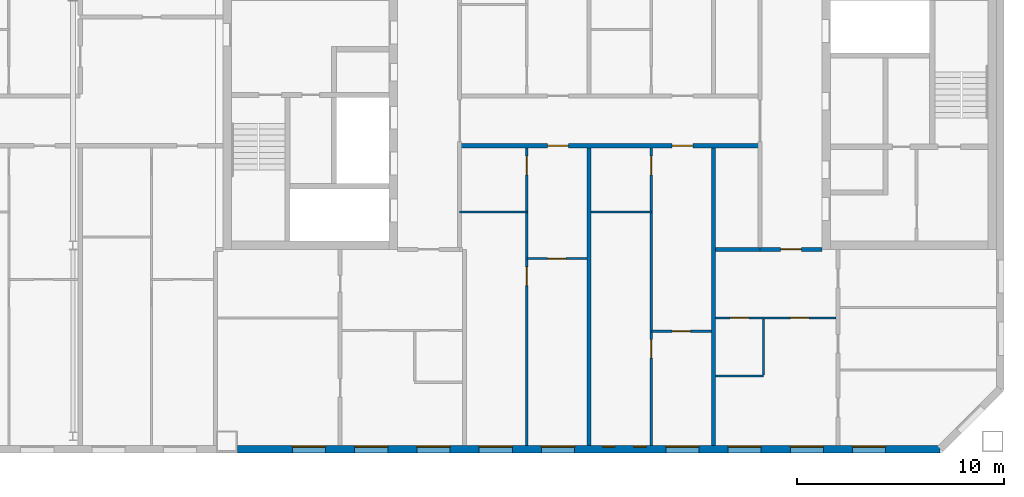
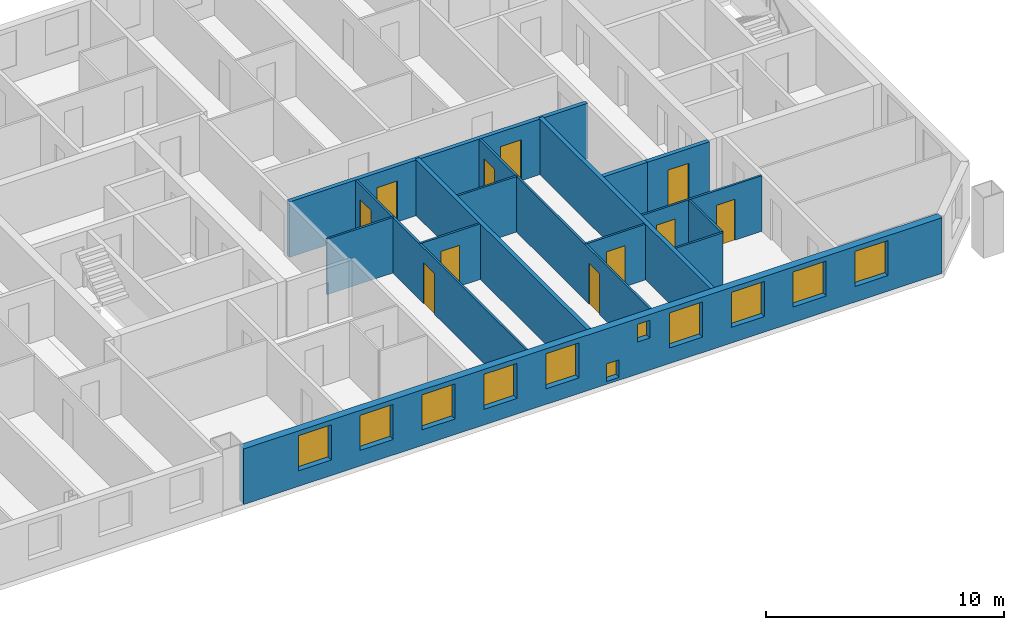
# One storey, part 14 of 19: 15 walls, 11 doors, 11 windows, 22 openings.
"""IFC4 building model written with IfcOpenShell, lengths in metres."""

from ifc_helpers import new_model, si_unit, direction, frame, frame_2d, origin, place, context, subcontext, project, spatial, rectangle, extrude, material, layer, layer_set, type_object, element, fill, save


model = new_model("IFC4")

# Units and contexts
model_context = context("Model", 3, precision=1e-05, world=origin(), true_north=direction((0.0, 1.0)))
body_context = subcontext(model_context, "Body", "Model", "MODEL_VIEW")
ifc_project = project(units=[si_unit("LENGTHUNIT", "METRE"), si_unit("AREAUNIT", "SQUARE_METRE"), si_unit("VOLUMEUNIT", "CUBIC_METRE"), si_unit("PLANEANGLEUNIT", "RADIAN"), si_unit("MASSUNIT", "GRAM", prefix="KILO")], contexts=[model_context])

# Site, building, storey
site_placement = place(None, origin())
site = spatial("IfcSite", under=ifc_project, at=site_placement, CompositionType="ELEMENT")
building_placement = place(site_placement, origin())
building = spatial("IfcBuilding", under=site, at=building_placement, Name="Tuart Gate Housing", CompositionType="ELEMENT")
storey_placement = place(building_placement, frame((0.0, 0.0, 233.800048828125)))
storey = spatial("IfcBuildingStorey", under=building, at=storey_placement, Name="L66", CompositionType="ELEMENT", Elevation=233.800048828125)

# Wall, openings, windows
ifc_material_1 = material(Name="Brick", Category="masonry")
ifc_layer_1 = layer(ifc_material_1, 0.360107421875)
ifc_layer_set_1 = layer_set([ifc_layer_1], Name="Brick pier and spandrel wall 360")
wall_type_1 = type_object("IfcWallType", Name="Brick pier and spandrel wall 360", PredefinedType="STANDARD", material=ifc_layer_set_1)
wall_1_placement = place(storey_placement, frame((132.050048828125, 54.179931640625, 0.0), z_axis=(0.0, 0.0, 1.0), x_axis=(1.0, 0.0, 0.0)))
wall_1 = element("IfcWall", 1, at=wall_1_placement, inside=storey, type_object=wall_type_1, Name="External wall BLK-S L66", PredefinedType="STANDARD", context=body_context, shape_type="SweptSolid", body=[
    extrude(rectangle(XDim=33.87548828125, YDim=0.360107421875, at=frame_2d((16.937744140625, 0.0))), origin(), (0.0, 0.0, 1.0), 2.849853515625),
])
opening_1_placement = place(wall_1_placement, frame((2.64990234375, 0.0, 0.800048828125)))
opening_1 = element("IfcOpeningElement", 2, at=opening_1_placement, cuts=wall_1, Name="Opening W1", PredefinedType="OPENING", context=body_context, shape_type="SweptSolid", body=[
    extrude(rectangle(XDim=1.60009765625, YDim=1.800048828125, at=frame_2d((0.800048828125, 0.89990234375))), frame((0.0, 0.18994140625, 0.0), z_axis=(0.0, -1.0, 0.0), x_axis=(1.0, 0.0, 0.0)), (0.0, 0.0, 1.0), 0.380126953125),
])
opening_2_placement = place(wall_1_placement, frame((5.64990234375, 0.0, 0.800048828125)))
opening_2 = element("IfcOpeningElement", 3, at=opening_2_placement, cuts=wall_1, Name="Opening W1", PredefinedType="OPENING", context=body_context, shape_type="SweptSolid", body=[
    extrude(rectangle(XDim=1.60009765625, YDim=1.800048828125, at=frame_2d((0.800048828125, 0.89990234375))), frame((0.0, 0.18994140625, 0.0), z_axis=(0.0, -1.0, 0.0), x_axis=(1.0, 0.0, 0.0)), (0.0, 0.0, 1.0), 0.380126953125),
])
opening_3_placement = place(wall_1_placement, frame((8.64990234375, 0.0, 0.800048828125)))
opening_3 = element("IfcOpeningElement", 4, at=opening_3_placement, cuts=wall_1, Name="Opening W1", PredefinedType="OPENING", context=body_context, shape_type="SweptSolid", body=[
    extrude(rectangle(XDim=1.60009765625, YDim=1.800048828125, at=frame_2d((0.800048828125, 0.89990234375))), frame((0.0, 0.18994140625, 0.0), z_axis=(0.0, -1.0, 0.0), x_axis=(1.0, 0.0, 0.0)), (0.0, 0.0, 1.0), 0.380126953125),
])
opening_4_placement = place(wall_1_placement, frame((11.64990234375, 0.0, 0.800048828125)))
opening_4 = element("IfcOpeningElement", 5, at=opening_4_placement, cuts=wall_1, Name="Opening W1", PredefinedType="OPENING", context=body_context, shape_type="SweptSolid", body=[
    extrude(rectangle(XDim=1.60009765625, YDim=1.800048828125, at=frame_2d((0.800048828125, 0.89990234375))), frame((0.0, 0.18994140625, 0.0), z_axis=(0.0, -1.0, 0.0), x_axis=(1.0, 0.0, 0.0)), (0.0, 0.0, 1.0), 0.380126953125),
])
opening_5_placement = place(wall_1_placement, frame((14.64990234375, 0.0, 0.800048828125)))
opening_5 = element("IfcOpeningElement", 6, at=opening_5_placement, cuts=wall_1, Name="Opening W1", PredefinedType="OPENING", context=body_context, shape_type="SweptSolid", body=[
    extrude(rectangle(XDim=1.60009765625, YDim=1.800048828125, at=frame_2d((0.800048828125, 0.89990234375))), frame((0.0, 0.18994140625, 0.0), z_axis=(0.0, -1.0, 0.0), x_axis=(1.0, 0.0, 0.0)), (0.0, 0.0, 1.0), 0.380126953125),
])
opening_6_placement = place(wall_1_placement, frame((17.60009765625, 0.0, 0.14990234375)))
opening_6 = element("IfcOpeningElement", 7, at=opening_6_placement, cuts=wall_1, Name="Opening W1W", PredefinedType="OPENING", context=body_context, shape_type="SweptSolid", body=[
    extrude(rectangle(XDim=0.60009765625, YDim=0.89990234375, at=frame_2d((0.300048828125, 0.449951171875))), frame((0.0, 0.18994140625, 0.0), z_axis=(0.0, -1.0, 0.0), x_axis=(1.0, 0.0, 0.0)), (0.0, 0.0, 1.0), 0.380126953125),
])
opening_7_placement = place(wall_1_placement, frame((20.64990234375, 0.0, 0.800048828125)))
opening_7 = element("IfcOpeningElement", 8, at=opening_7_placement, cuts=wall_1, Name="Opening W1", PredefinedType="OPENING", context=body_context, shape_type="SweptSolid", body=[
    extrude(rectangle(XDim=1.60009765625, YDim=1.800048828125, at=frame_2d((0.800048828125, 0.89990234375))), frame((0.0, 0.18994140625, 0.0), z_axis=(0.0, -1.0, 0.0), x_axis=(1.0, 0.0, 0.0)), (0.0, 0.0, 1.0), 0.380126953125),
])
opening_8_placement = place(wall_1_placement, frame((23.64990234375, 0.0, 0.800048828125)))
opening_8 = element("IfcOpeningElement", 9, at=opening_8_placement, cuts=wall_1, Name="Opening W1", PredefinedType="OPENING", context=body_context, shape_type="SweptSolid", body=[
    extrude(rectangle(XDim=1.60009765625, YDim=1.800048828125, at=frame_2d((0.800048828125, 0.89990234375))), frame((0.0, 0.18994140625, 0.0), z_axis=(0.0, -1.0, 0.0), x_axis=(1.0, 0.0, 0.0)), (0.0, 0.0, 1.0), 0.380126953125),
])
opening_9_placement = place(wall_1_placement, frame((26.64990234375, 0.0, 0.800048828125)))
opening_9 = element("IfcOpeningElement", 10, at=opening_9_placement, cuts=wall_1, Name="Opening W1", PredefinedType="OPENING", context=body_context, shape_type="SweptSolid", body=[
    extrude(rectangle(XDim=1.60009765625, YDim=1.800048828125, at=frame_2d((0.800048828125, 0.89990234375))), frame((0.0, 0.18994140625, 0.0), z_axis=(0.0, -1.0, 0.0), x_axis=(1.0, 0.0, 0.0)), (0.0, 0.0, 1.0), 0.380126953125),
])
opening_10_placement = place(wall_1_placement, frame((29.64990234375, 0.0, 0.800048828125)))
opening_10 = element("IfcOpeningElement", 11, at=opening_10_placement, cuts=wall_1, Name="Opening W1", PredefinedType="OPENING", context=body_context, shape_type="SweptSolid", body=[
    extrude(rectangle(XDim=1.60009765625, YDim=1.800048828125, at=frame_2d((0.800048828125, 0.89990234375))), frame((0.0, 0.18994140625, 0.0), z_axis=(0.0, -1.0, 0.0), x_axis=(1.0, 0.0, 0.0)), (0.0, 0.0, 1.0), 0.380126953125),
])
opening_11_placement = place(wall_1_placement, frame((19.10009765625, 0.0, 1.64990234375)))
opening_11 = element("IfcOpeningElement", 12, at=opening_11_placement, cuts=wall_1, Name="Opening W1W", PredefinedType="OPENING", context=body_context, shape_type="SweptSolid", body=[
    extrude(rectangle(XDim=0.60009765625, YDim=0.89990234375, at=frame_2d((0.300048828125, 0.449951171875))), frame((0.0, 0.18994140625, 0.0), z_axis=(0.0, -1.0, 0.0), x_axis=(1.0, 0.0, 0.0)), (0.0, 0.0, 1.0), 0.380126953125),
])
ifc_material_2 = material(Name="Aluminium frame with clear glass", Category="aluminium")
window_type_1 = type_object("IfcWindowType", Name="Punched window 1600 x 1800", PartitioningType="SINGLE_PANEL", PredefinedType="WINDOW", material=ifc_material_2)
window_1_placement = place(opening_1_placement, origin())
window_1 = element("IfcWindow", 13, at=window_1_placement, inside=storey, type_object=window_type_1, Name="Window W1", OverallHeight=1.800048828125, OverallWidth=1.60009765625, PartitioningType="SINGLE_PANEL", PredefinedType="WINDOW", context=body_context, shape_type="SweptSolid", body=[
    extrude(rectangle(XDim=1.60009765625, YDim=1.800048828125, at=frame_2d((0.800048828125, 0.89990234375))), frame((0.0, 0.150146484375, 0.0), z_axis=(0.0, -1.0, 0.0), x_axis=(1.0, 0.0, 0.0)), (0.0, 0.0, 1.0), 0.06005859375),
])
fill(opening_1, window_1)
window_2_placement = place(opening_2_placement, origin())
window_2 = element("IfcWindow", 14, at=window_2_placement, inside=storey, type_object=window_type_1, Name="Window W1", OverallHeight=1.800048828125, OverallWidth=1.60009765625, PartitioningType="SINGLE_PANEL", PredefinedType="WINDOW", context=body_context, shape_type="SweptSolid", body=[
    extrude(rectangle(XDim=1.60009765625, YDim=1.800048828125, at=frame_2d((0.800048828125, 0.89990234375))), frame((0.0, 0.150146484375, 0.0), z_axis=(0.0, -1.0, 0.0), x_axis=(1.0, 0.0, 0.0)), (0.0, 0.0, 1.0), 0.06005859375),
])
fill(opening_2, window_2)
window_3_placement = place(opening_3_placement, origin())
window_3 = element("IfcWindow", 15, at=window_3_placement, inside=storey, type_object=window_type_1, Name="Window W1", OverallHeight=1.800048828125, OverallWidth=1.60009765625, PartitioningType="SINGLE_PANEL", PredefinedType="WINDOW", context=body_context, shape_type="SweptSolid", body=[
    extrude(rectangle(XDim=1.60009765625, YDim=1.800048828125, at=frame_2d((0.800048828125, 0.89990234375))), frame((0.0, 0.150146484375, 0.0), z_axis=(0.0, -1.0, 0.0), x_axis=(1.0, 0.0, 0.0)), (0.0, 0.0, 1.0), 0.06005859375),
])
fill(opening_3, window_3)
window_4_placement = place(opening_4_placement, origin())
window_4 = element("IfcWindow", 16, at=window_4_placement, inside=storey, type_object=window_type_1, Name="Window W1", OverallHeight=1.800048828125, OverallWidth=1.60009765625, PartitioningType="SINGLE_PANEL", PredefinedType="WINDOW", context=body_context, shape_type="SweptSolid", body=[
    extrude(rectangle(XDim=1.60009765625, YDim=1.800048828125, at=frame_2d((0.800048828125, 0.89990234375))), frame((0.0, 0.150146484375, 0.0), z_axis=(0.0, -1.0, 0.0), x_axis=(1.0, 0.0, 0.0)), (0.0, 0.0, 1.0), 0.06005859375),
])
fill(opening_4, window_4)
window_5_placement = place(opening_5_placement, origin())
window_5 = element("IfcWindow", 17, at=window_5_placement, inside=storey, type_object=window_type_1, Name="Window W1", OverallHeight=1.800048828125, OverallWidth=1.60009765625, PartitioningType="SINGLE_PANEL", PredefinedType="WINDOW", context=body_context, shape_type="SweptSolid", body=[
    extrude(rectangle(XDim=1.60009765625, YDim=1.800048828125, at=frame_2d((0.800048828125, 0.89990234375))), frame((0.0, 0.150146484375, 0.0), z_axis=(0.0, -1.0, 0.0), x_axis=(1.0, 0.0, 0.0)), (0.0, 0.0, 1.0), 0.06005859375),
])
fill(opening_5, window_5)
window_6_placement = place(opening_7_placement, origin())
window_6 = element("IfcWindow", 18, at=window_6_placement, inside=storey, type_object=window_type_1, Name="Window W1", OverallHeight=1.800048828125, OverallWidth=1.60009765625, PartitioningType="SINGLE_PANEL", PredefinedType="WINDOW", context=body_context, shape_type="SweptSolid", body=[
    extrude(rectangle(XDim=1.60009765625, YDim=1.800048828125, at=frame_2d((0.800048828125, 0.89990234375))), frame((0.0, 0.150146484375, 0.0), z_axis=(0.0, -1.0, 0.0), x_axis=(1.0, 0.0, 0.0)), (0.0, 0.0, 1.0), 0.06005859375),
])
fill(opening_7, window_6)
window_7_placement = place(opening_8_placement, origin())
window_7 = element("IfcWindow", 19, at=window_7_placement, inside=storey, type_object=window_type_1, Name="Window W1", OverallHeight=1.800048828125, OverallWidth=1.60009765625, PartitioningType="SINGLE_PANEL", PredefinedType="WINDOW", context=body_context, shape_type="SweptSolid", body=[
    extrude(rectangle(XDim=1.60009765625, YDim=1.800048828125, at=frame_2d((0.800048828125, 0.89990234375))), frame((0.0, 0.150146484375, 0.0), z_axis=(0.0, -1.0, 0.0), x_axis=(1.0, 0.0, 0.0)), (0.0, 0.0, 1.0), 0.06005859375),
])
fill(opening_8, window_7)
window_8_placement = place(opening_9_placement, origin())
window_8 = element("IfcWindow", 20, at=window_8_placement, inside=storey, type_object=window_type_1, Name="Window W1", OverallHeight=1.800048828125, OverallWidth=1.60009765625, PartitioningType="SINGLE_PANEL", PredefinedType="WINDOW", context=body_context, shape_type="SweptSolid", body=[
    extrude(rectangle(XDim=1.60009765625, YDim=1.800048828125, at=frame_2d((0.800048828125, 0.89990234375))), frame((0.0, 0.150146484375, 0.0), z_axis=(0.0, -1.0, 0.0), x_axis=(1.0, 0.0, 0.0)), (0.0, 0.0, 1.0), 0.06005859375),
])
fill(opening_9, window_8)
window_9_placement = place(opening_10_placement, origin())
window_9 = element("IfcWindow", 21, at=window_9_placement, inside=storey, type_object=window_type_1, Name="Window W1", OverallHeight=1.800048828125, OverallWidth=1.60009765625, PartitioningType="SINGLE_PANEL", PredefinedType="WINDOW", context=body_context, shape_type="SweptSolid", body=[
    extrude(rectangle(XDim=1.60009765625, YDim=1.800048828125, at=frame_2d((0.800048828125, 0.89990234375))), frame((0.0, 0.150146484375, 0.0), z_axis=(0.0, -1.0, 0.0), x_axis=(1.0, 0.0, 0.0)), (0.0, 0.0, 1.0), 0.06005859375),
])
fill(opening_10, window_9)
ifc_material_3 = material(Name="Aluminium frame with clear glass", Category="aluminium")
window_type_2 = type_object("IfcWindowType", Name="Punched window 600 x 900", PartitioningType="SINGLE_PANEL", PredefinedType="WINDOW", material=ifc_material_3)
window_10_placement = place(opening_6_placement, origin())
window_10 = element("IfcWindow", 22, at=window_10_placement, inside=storey, type_object=window_type_2, Name="Window W1W", OverallHeight=0.89990234375, OverallWidth=0.60009765625, PartitioningType="SINGLE_PANEL", PredefinedType="WINDOW", context=body_context, shape_type="SweptSolid", body=[
    extrude(rectangle(XDim=0.60009765625, YDim=0.89990234375, at=frame_2d((0.300048828125, 0.449951171875))), frame((0.0, 0.150146484375, 0.0), z_axis=(0.0, -1.0, 0.0), x_axis=(1.0, 0.0, 0.0)), (0.0, 0.0, 1.0), 0.06005859375),
])
fill(opening_6, window_10)
window_11_placement = place(opening_11_placement, origin())
window_11 = element("IfcWindow", 23, at=window_11_placement, inside=storey, type_object=window_type_2, Name="Window W1W", OverallHeight=0.89990234375, OverallWidth=0.60009765625, PartitioningType="SINGLE_PANEL", PredefinedType="WINDOW", context=body_context, shape_type="SweptSolid", body=[
    extrude(rectangle(XDim=0.60009765625, YDim=0.89990234375, at=frame_2d((0.300048828125, 0.449951171875))), frame((0.0, 0.150146484375, 0.0), z_axis=(0.0, -1.0, 0.0), x_axis=(1.0, 0.0, 0.0)), (0.0, 0.0, 1.0), 0.06005859375),
])
fill(opening_11, window_11)

# Wall, openings, doors
ifc_material_4 = material(Name="Concrete masonry 15 MPa", Category="masonry")
ifc_layer_2 = layer(ifc_material_4, 0.199951171875)
ifc_layer_set_2 = layer_set([ifc_layer_2], Name="Corridor wall masonry 200")
wall_type_2 = type_object("IfcWallType", Name="Corridor wall masonry 200", PredefinedType="PARTITIONING", material=ifc_layer_set_2)
wall_2_placement = place(storey_placement, frame((142.760009765625, 68.800048828125, 0.0), z_axis=(0.0, 0.0, 1.0), x_axis=(1.0, 0.0, 0.0)))
wall_2 = element("IfcWall", 24, at=wall_2_placement, inside=storey, type_object=wall_type_2, Name="Corridor wall masonry 200", PredefinedType="PARTITIONING", context=body_context, shape_type="SweptSolid", body=[
    extrude(rectangle(XDim=14.47998046875, YDim=0.199951171875, at=frame_2d((7.239990234375, 0.0))), origin(), (0.0, 0.0, 1.0), 2.849853515625),
])
opening_12_placement = place(wall_2_placement, frame((4.239990234375, 0.0, 0.0)))
opening_12 = element("IfcOpeningElement", 25, at=opening_12_placement, cuts=wall_2, Name="Opening D2585", PredefinedType="OPENING", context=body_context, shape_type="SweptSolid", body=[
    extrude(rectangle(XDim=1.0, YDim=2.10009765625, at=frame_2d((0.5, 1.050048828125))), frame((0.0, 0.10986328125, 0.0), z_axis=(0.0, -1.0, 0.0), x_axis=(1.0, 0.0, 0.0)), (0.0, 0.0, 1.0), 0.219970703125),
])
opening_13_placement = place(wall_2_placement, frame((10.239990234375, 0.0, 0.0)))
opening_13 = element("IfcOpeningElement", 26, at=opening_13_placement, cuts=wall_2, Name="Opening D2586", PredefinedType="OPENING", context=body_context, shape_type="SweptSolid", body=[
    extrude(rectangle(XDim=1.0, YDim=2.10009765625, at=frame_2d((0.5, 1.050048828125))), frame((0.0, 0.10986328125, 0.0), z_axis=(0.0, -1.0, 0.0), x_axis=(1.0, 0.0, 0.0)), (0.0, 0.0, 1.0), 0.219970703125),
])
ifc_material_5 = material(Name="Timber door leaf in steel frame", Category="steel")
door_type_1 = type_object("IfcDoorType", Name="Flat entrance door 1000 RH", OperationType="SINGLE_SWING_RIGHT", PredefinedType="DOOR", material=ifc_material_5)
door_1_placement = place(opening_12_placement, frame((1.0, 0.0, 0.0), z_axis=(0.0, 0.0, 1.0), x_axis=(-1.0, 0.0, 0.0)))
door_1 = element("IfcDoor", 27, at=door_1_placement, inside=storey, type_object=door_type_1, Name="Flat entrance door", OperationType="SINGLE_SWING_RIGHT", OverallHeight=2.10009765625, OverallWidth=1.0, PredefinedType="DOOR", context=body_context, shape_type="SweptSolid", body=[
    extrude(rectangle(XDim=1.0, YDim=2.10009765625, at=frame_2d((0.5, 1.050048828125))), frame((0.0, 0.025146484375, 0.0), z_axis=(0.0, -1.0, 0.0), x_axis=(1.0, 0.0, 0.0)), (0.0, 0.0, 1.0), 0.050048828125),
])
fill(opening_12, door_1)
door_2_placement = place(opening_13_placement, frame((1.0, 0.0, 0.0), z_axis=(0.0, 0.0, 1.0), x_axis=(-1.0, 0.0, 0.0)))
door_2 = element("IfcDoor", 28, at=door_2_placement, inside=storey, type_object=door_type_1, Name="Flat entrance door", OperationType="SINGLE_SWING_RIGHT", OverallHeight=2.10009765625, OverallWidth=1.0, PredefinedType="DOOR", context=body_context, shape_type="SweptSolid", body=[
    extrude(rectangle(XDim=1.0, YDim=2.10009765625, at=frame_2d((0.5, 1.050048828125))), frame((0.0, 0.025146484375, 0.0), z_axis=(0.0, -1.0, 0.0), x_axis=(1.0, 0.0, 0.0)), (0.0, 0.0, 1.0), 0.050048828125),
])
fill(opening_13, door_2)

# Wall, opening, door
ifc_material_6 = material(Name="Concrete masonry 15 MPa", Category="masonry")
ifc_layer_3 = layer(ifc_material_6, 0.199951171875)
ifc_layer_set_3 = layer_set([ifc_layer_3], Name="Enclosure wall masonry 200")
wall_type_3 = type_object("IfcWallType", Name="Enclosure wall masonry 200", PredefinedType="PARTITIONING", material=ifc_layer_set_3)
wall_3_placement = place(storey_placement, frame((157.239990234375, 63.800048828125, 0.0), z_axis=(0.0, 0.0, 1.0), x_axis=(1.0, 0.0, 0.0)))
wall_3 = element("IfcWall", 29, at=wall_3_placement, inside=storey, type_object=wall_type_3, Name="Enclosure wall masonry 200", PredefinedType="PARTITIONING", context=body_context, shape_type="SweptSolid", body=[
    extrude(rectangle(XDim=3.0, YDim=0.199951171875, at=frame_2d((1.5, 0.0))), origin(), (0.0, 0.0, 1.0), 2.849853515625),
])
opening_14_placement = place(wall_3_placement, frame((1.0, 0.0, 0.0)))
opening_14 = element("IfcOpeningElement", 30, at=opening_14_placement, cuts=wall_3, Name="Opening D2591", PredefinedType="OPENING", context=body_context, shape_type="SweptSolid", body=[
    extrude(rectangle(XDim=1.0, YDim=2.10009765625, at=frame_2d((0.5, 1.050048828125))), frame((0.0, 0.10986328125, 0.0), z_axis=(0.0, -1.0, 0.0), x_axis=(1.0, 0.0, 0.0)), (0.0, 0.0, 1.0), 0.219970703125),
])
ifc_material_7 = material(Name="Timber door leaf in steel frame", Category="steel")
door_type_2 = type_object("IfcDoorType", Name="Flat entrance door 1000", OperationType="SINGLE_SWING_LEFT", PredefinedType="DOOR", material=ifc_material_7)
door_3_placement = place(opening_14_placement, frame((1.0, 0.0, 0.0), z_axis=(0.0, 0.0, 1.0), x_axis=(-1.0, 0.0, 0.0)))
door_3 = element("IfcDoor", 31, at=door_3_placement, inside=storey, type_object=door_type_2, Name="Flat entrance door", OperationType="SINGLE_SWING_LEFT", OverallHeight=2.10009765625, OverallWidth=1.0, PredefinedType="DOOR", context=body_context, shape_type="SweptSolid", body=[
    extrude(rectangle(XDim=1.0, YDim=2.10009765625, at=frame_2d((0.5, 1.050048828125))), frame((0.0, 0.025146484375, 0.0), z_axis=(0.0, -1.0, 0.0), x_axis=(1.0, 0.0, 0.0)), (0.0, 0.0, 1.0), 0.050048828125),
])
fill(opening_14, door_3)

# Wall
ifc_material_8 = material(Name="Gypsum board on steel studs", Category="steel")
ifc_layer_4 = layer(ifc_material_8, 0.10009765625)
ifc_layer_set_4 = layer_set([ifc_layer_4], Name="Partition 100")
wall_type_4 = type_object("IfcWallType", Name="Partition 100", PredefinedType="PARTITIONING", material=ifc_layer_set_4)
wall_4_placement = place(storey_placement, frame((155.10009765625, 57.699951171875, 0.0), z_axis=(0.0, 0.0, 1.0), x_axis=(1.0, 0.0, 0.0)))
element("IfcWall", 32, at=wall_4_placement, inside=storey, type_object=wall_type_4, Name="Partition 100", PredefinedType="PARTITIONING", context=body_context, shape_type="SweptSolid", body=[
    extrude(rectangle(XDim=2.2998046875, YDim=0.10009765625, at=frame_2d((1.14990234375, 0.0))), origin(), (0.0, 0.0, 1.0), 2.849853515625),
])

# Wall, opening, door
wall_5_placement = place(storey_placement, frame((152.0, 59.860107421875, 0.0), z_axis=(0.0, 0.0, 1.0), x_axis=(1.0, 0.0, 0.0)))
wall_5 = element("IfcWall", 33, at=wall_5_placement, inside=storey, type_object=wall_type_4, Name="Partition 100", PredefinedType="PARTITIONING", context=body_context, shape_type="SweptSolid", body=[
    extrude(rectangle(XDim=2.89990234375, YDim=0.10009765625, at=frame_2d((1.449951171875, 0.0))), origin(), (0.0, 0.0, 1.0), 2.849853515625),
])
opening_15_placement = place(wall_5_placement, frame((1.0, 0.0, 0.0)))
opening_15 = element("IfcOpeningElement", 34, at=opening_15_placement, cuts=wall_5, Name="Opening D2601", PredefinedType="OPENING", context=body_context, shape_type="SweptSolid", body=[
    extrude(rectangle(XDim=0.89990234375, YDim=2.10009765625, at=frame_2d((0.449951171875, 1.050048828125))), frame((0.0, 0.06005859375, 0.0), z_axis=(0.0, -1.0, 0.0), x_axis=(1.0, 0.0, 0.0)), (0.0, 0.0, 1.0), 0.1201171875),
])
ifc_material_9 = material(Name="Timber door leaf in steel frame", Category="steel")
door_type_3 = type_object("IfcDoorType", Name="Internal door 900", OperationType="SINGLE_SWING_LEFT", PredefinedType="DOOR", material=ifc_material_9)
door_4_placement = place(opening_15_placement, origin())
door_4 = element("IfcDoor", 35, at=door_4_placement, inside=storey, type_object=door_type_3, Name="Internal door", OperationType="SINGLE_SWING_LEFT", OverallHeight=2.10009765625, OverallWidth=0.89990234375, PredefinedType="DOOR", context=body_context, shape_type="SweptSolid", body=[
    extrude(rectangle(XDim=0.89990234375, YDim=2.10009765625, at=frame_2d((0.449951171875, 1.050048828125))), frame((0.0, 0.02490234375, 0.0), z_axis=(0.0, -1.0, 0.0), x_axis=(1.0, 0.0, 0.0)), (0.0, 0.0, 1.0), 0.050048828125),
])
fill(opening_15, door_4)

# Wall, openings, doors
wall_6_placement = place(storey_placement, frame((155.10009765625, 60.5, 0.0), z_axis=(0.0, 0.0, 1.0), x_axis=(1.0, 0.0, 0.0)))
wall_6 = element("IfcWall", 36, at=wall_6_placement, inside=storey, type_object=wall_type_4, Name="Partition 100", PredefinedType="PARTITIONING", context=body_context, shape_type="SweptSolid", body=[
    extrude(rectangle(XDim=5.7998046875, YDim=0.10009765625, at=frame_2d((2.89990234375, 0.0))), origin(), (0.0, 0.0, 1.0), 2.849853515625),
])
opening_16_placement = place(wall_6_placement, frame((3.60009765625, 0.0, 0.0)))
opening_16 = element("IfcOpeningElement", 37, at=opening_16_placement, cuts=wall_6, Name="Opening D2598", PredefinedType="OPENING", context=body_context, shape_type="SweptSolid", body=[
    extrude(rectangle(XDim=0.89990234375, YDim=2.10009765625, at=frame_2d((0.449951171875, 1.050048828125))), frame((0.0, 0.06005859375, 0.0), z_axis=(0.0, -1.0, 0.0), x_axis=(1.0, 0.0, 0.0)), (0.0, 0.0, 1.0), 0.1201171875),
])
opening_17_placement = place(wall_6_placement, frame((0.699951171875, 0.0, 0.0)))
opening_17 = element("IfcOpeningElement", 38, at=opening_17_placement, cuts=wall_6, Name="Opening D2597", PredefinedType="OPENING", context=body_context, shape_type="SweptSolid", body=[
    extrude(rectangle(XDim=0.89990234375, YDim=2.10009765625, at=frame_2d((0.449951171875, 1.050048828125))), frame((0.0, 0.06005859375, 0.0), z_axis=(0.0, -1.0, 0.0), x_axis=(1.0, 0.0, 0.0)), (0.0, 0.0, 1.0), 0.1201171875),
])
ifc_material_10 = material(Name="Timber door leaf in steel frame", Category="steel")
door_type_4 = type_object("IfcDoorType", Name="Bathroom door 900", OperationType="SINGLE_SWING_LEFT", PredefinedType="DOOR", material=ifc_material_10)
door_5_placement = place(opening_17_placement, frame((0.89990234375, 0.0, 0.0), z_axis=(0.0, 0.0, 1.0), x_axis=(-1.0, 0.0, 0.0)))
door_5 = element("IfcDoor", 39, at=door_5_placement, inside=storey, type_object=door_type_4, Name="Bathroom door", OperationType="SINGLE_SWING_LEFT", OverallHeight=2.10009765625, OverallWidth=0.89990234375, PredefinedType="DOOR", context=body_context, shape_type="SweptSolid", body=[
    extrude(rectangle(XDim=0.89990234375, YDim=2.10009765625, at=frame_2d((0.449951171875, 1.050048828125))), frame((0.0, 0.025146484375, 0.0), z_axis=(0.0, -1.0, 0.0), x_axis=(1.0, 0.0, 0.0)), (0.0, 0.0, 1.0), 0.050048828125),
])
fill(opening_17, door_5)
ifc_material_11 = material(Name="Timber door leaf in steel frame", Category="steel")
door_type_5 = type_object("IfcDoorType", Name="Internal door 900 RH", OperationType="SINGLE_SWING_RIGHT", PredefinedType="DOOR", material=ifc_material_11)
door_6_placement = place(opening_16_placement, origin())
door_6 = element("IfcDoor", 40, at=door_6_placement, inside=storey, type_object=door_type_5, Name="Internal door", OperationType="SINGLE_SWING_RIGHT", OverallHeight=2.10009765625, OverallWidth=0.89990234375, PredefinedType="DOOR", context=body_context, shape_type="SweptSolid", body=[
    extrude(rectangle(XDim=0.89990234375, YDim=2.10009765625, at=frame_2d((0.449951171875, 1.050048828125))), frame((0.0, 0.02490234375, 0.0), z_axis=(0.0, -1.0, 0.0), x_axis=(1.0, 0.0, 0.0)), (0.0, 0.0, 1.0), 0.050048828125),
])
fill(opening_16, door_6)

# Wall, opening, door
wall_7_placement = place(storey_placement, frame((146.0, 63.360107421875, 0.0), z_axis=(0.0, 0.0, 1.0), x_axis=(1.0, 0.0, 0.0)))
wall_7 = element("IfcWall", 41, at=wall_7_placement, inside=storey, type_object=wall_type_4, Name="Partition 100", PredefinedType="PARTITIONING", context=body_context, shape_type="SweptSolid", body=[
    extrude(rectangle(XDim=2.89990234375, YDim=0.10009765625, at=frame_2d((1.449951171875, 0.0))), origin(), (0.0, 0.0, 1.0), 2.849853515625),
])
opening_18_placement = place(wall_7_placement, frame((1.0, 0.0, 0.0)))
opening_18 = element("IfcOpeningElement", 42, at=opening_18_placement, cuts=wall_7, Name="Opening D2592", PredefinedType="OPENING", context=body_context, shape_type="SweptSolid", body=[
    extrude(rectangle(XDim=0.89990234375, YDim=2.10009765625, at=frame_2d((0.449951171875, 1.050048828125))), frame((0.0, 0.06005859375, 0.0), z_axis=(0.0, -1.0, 0.0), x_axis=(1.0, 0.0, 0.0)), (0.0, 0.0, 1.0), 0.1201171875),
])
door_7_placement = place(opening_18_placement, origin())
door_7 = element("IfcDoor", 43, at=door_7_placement, inside=storey, type_object=door_type_3, Name="Internal door", OperationType="SINGLE_SWING_LEFT", OverallHeight=2.10009765625, OverallWidth=0.89990234375, PredefinedType="DOOR", context=body_context, shape_type="SweptSolid", body=[
    extrude(rectangle(XDim=0.89990234375, YDim=2.10009765625, at=frame_2d((0.449951171875, 1.050048828125))), frame((0.0, 0.02490234375, 0.0), z_axis=(0.0, -1.0, 0.0), x_axis=(1.0, 0.0, 0.0)), (0.0, 0.0, 1.0), 0.050048828125),
])
fill(opening_18, door_7)

# Walls
wall_8_placement = place(storey_placement, frame((142.760009765625, 65.60009765625, 0.0), z_axis=(0.0, 0.0, 1.0), x_axis=(1.0, 0.0, 0.0)))
element("IfcWall", 44, at=wall_8_placement, inside=storey, type_object=wall_type_4, Name="Partition 100", PredefinedType="PARTITIONING", context=body_context, shape_type="SweptSolid", body=[
    extrude(rectangle(XDim=3.239990234375, YDim=0.10009765625, at=frame_2d((1.6201171875, 0.0))), origin(), (0.0, 0.0, 1.0), 2.849853515625),
])
wall_9_placement = place(storey_placement, frame((149.10009765625, 65.60009765625, 0.0), z_axis=(0.0, 0.0, 1.0), x_axis=(1.0, 0.0, 0.0)))
element("IfcWall", 45, at=wall_9_placement, inside=storey, type_object=wall_type_4, Name="Partition 100", PredefinedType="PARTITIONING", context=body_context, shape_type="SweptSolid", body=[
    extrude(rectangle(XDim=2.89990234375, YDim=0.10009765625, at=frame_2d((1.449951171875, 0.0))), origin(), (0.0, 0.0, 1.0), 2.849853515625),
])

# Wall, openings, doors
wall_10_placement = place(storey_placement, frame((146.0, 54.360107421875, 0.0), z_axis=(0.0, 0.0, 1.0), x_axis=(0.0, 1.0, 0.0)))
wall_10 = element("IfcWall", 46, at=wall_10_placement, inside=storey, type_object=wall_type_4, Name="Partition 100", PredefinedType="PARTITIONING", context=body_context, shape_type="SweptSolid", body=[
    extrude(rectangle(XDim=14.33984375, YDim=0.10009765625, at=frame_2d((7.169921875, 0.0))), origin(), (0.0, 0.0, 1.0), 2.849853515625),
])
opening_19_placement = place(wall_10_placement, frame((7.699951171875, 0.0, 0.0)))
opening_19 = element("IfcOpeningElement", 47, at=opening_19_placement, cuts=wall_10, Name="Opening D2594", PredefinedType="OPENING", context=body_context, shape_type="SweptSolid", body=[
    extrude(rectangle(XDim=0.89990234375, YDim=2.10009765625, at=frame_2d((0.449951171875, 1.050048828125))), frame((0.0, 0.06005859375, 0.0), z_axis=(0.0, -1.0, 0.0), x_axis=(1.0, 0.0, 0.0)), (0.0, 0.0, 1.0), 0.1201171875),
])
opening_20_placement = place(wall_10_placement, frame((13.0400390625, 0.0, 0.0)))
opening_20 = element("IfcOpeningElement", 48, at=opening_20_placement, cuts=wall_10, Name="Opening D2593", PredefinedType="OPENING", context=body_context, shape_type="SweptSolid", body=[
    extrude(rectangle(XDim=0.89990234375, YDim=2.10009765625, at=frame_2d((0.449951171875, 1.050048828125))), frame((0.0, 0.06005859375, 0.0), z_axis=(0.0, -1.0, 0.0), x_axis=(1.0, 0.0, 0.0)), (0.0, 0.0, 1.0), 0.1201171875),
])
ifc_material_12 = material(Name="Timber door leaf in steel frame", Category="steel")
door_type_6 = type_object("IfcDoorType", Name="Bathroom door 900 RH", OperationType="SINGLE_SWING_RIGHT", PredefinedType="DOOR", material=ifc_material_12)
door_8_placement = place(opening_20_placement, origin())
door_8 = element("IfcDoor", 49, at=door_8_placement, inside=storey, type_object=door_type_6, Name="Bathroom door", OperationType="SINGLE_SWING_RIGHT", OverallHeight=2.10009765625, OverallWidth=0.89990234375, PredefinedType="DOOR", context=body_context, shape_type="SweptSolid", body=[
    extrude(rectangle(XDim=0.89990234375, YDim=2.10009765625, at=frame_2d((0.449951171875, 1.050048828125))), frame((0.0, 0.02490234375, 0.0), z_axis=(0.0, -1.0, 0.0), x_axis=(1.0, 0.0, 0.0)), (0.0, 0.0, 1.0), 0.050048828125),
])
fill(opening_20, door_8)
door_9_placement = place(opening_19_placement, origin())
door_9 = element("IfcDoor", 50, at=door_9_placement, inside=storey, type_object=door_type_5, Name="Internal door", OperationType="SINGLE_SWING_RIGHT", OverallHeight=2.10009765625, OverallWidth=0.89990234375, PredefinedType="DOOR", context=body_context, shape_type="SweptSolid", body=[
    extrude(rectangle(XDim=0.89990234375, YDim=2.10009765625, at=frame_2d((0.449951171875, 1.050048828125))), frame((0.0, 0.02490234375, 0.0), z_axis=(0.0, -1.0, 0.0), x_axis=(1.0, 0.0, 0.0)), (0.0, 0.0, 1.0), 0.050048828125),
])
fill(opening_19, door_9)

wall_11_placement = place(storey_placement, frame((152.0, 54.360107421875, 0.0), z_axis=(0.0, 0.0, 1.0), x_axis=(0.0, 1.0, 0.0)))
wall_11 = element("IfcWall", 51, at=wall_11_placement, inside=storey, type_object=wall_type_4, Name="Partition 100", PredefinedType="PARTITIONING", context=body_context, shape_type="SweptSolid", body=[
    extrude(rectangle(XDim=14.33984375, YDim=0.10009765625, at=frame_2d((7.169921875, 0.0))), origin(), (0.0, 0.0, 1.0), 2.849853515625),
])
opening_21_placement = place(wall_11_placement, frame((4.199951171875, 0.0, 0.0)))
opening_21 = element("IfcOpeningElement", 52, at=opening_21_placement, cuts=wall_11, Name="Opening D2596", PredefinedType="OPENING", context=body_context, shape_type="SweptSolid", body=[
    extrude(rectangle(XDim=0.89990234375, YDim=2.10009765625, at=frame_2d((0.449951171875, 1.050048828125))), frame((0.0, 0.06005859375, 0.0), z_axis=(0.0, -1.0, 0.0), x_axis=(1.0, 0.0, 0.0)), (0.0, 0.0, 1.0), 0.1201171875),
])
opening_22_placement = place(wall_11_placement, frame((13.0400390625, 0.0, 0.0)))
opening_22 = element("IfcOpeningElement", 53, at=opening_22_placement, cuts=wall_11, Name="Opening D2595", PredefinedType="OPENING", context=body_context, shape_type="SweptSolid", body=[
    extrude(rectangle(XDim=0.89990234375, YDim=2.10009765625, at=frame_2d((0.449951171875, 1.050048828125))), frame((0.0, 0.06005859375, 0.0), z_axis=(0.0, -1.0, 0.0), x_axis=(1.0, 0.0, 0.0)), (0.0, 0.0, 1.0), 0.1201171875),
])
door_10_placement = place(opening_22_placement, origin())
door_10 = element("IfcDoor", 54, at=door_10_placement, inside=storey, type_object=door_type_6, Name="Bathroom door", OperationType="SINGLE_SWING_RIGHT", OverallHeight=2.10009765625, OverallWidth=0.89990234375, PredefinedType="DOOR", context=body_context, shape_type="SweptSolid", body=[
    extrude(rectangle(XDim=0.89990234375, YDim=2.10009765625, at=frame_2d((0.449951171875, 1.050048828125))), frame((0.0, 0.02490234375, 0.0), z_axis=(0.0, -1.0, 0.0), x_axis=(1.0, 0.0, 0.0)), (0.0, 0.0, 1.0), 0.050048828125),
])
fill(opening_22, door_10)
door_11_placement = place(opening_21_placement, origin())
door_11 = element("IfcDoor", 55, at=door_11_placement, inside=storey, type_object=door_type_3, Name="Internal door", OperationType="SINGLE_SWING_LEFT", OverallHeight=2.10009765625, OverallWidth=0.89990234375, PredefinedType="DOOR", context=body_context, shape_type="SweptSolid", body=[
    extrude(rectangle(XDim=0.89990234375, YDim=2.10009765625, at=frame_2d((0.449951171875, 1.050048828125))), frame((0.0, 0.02490234375, 0.0), z_axis=(0.0, -1.0, 0.0), x_axis=(1.0, 0.0, 0.0)), (0.0, 0.0, 1.0), 0.050048828125),
])
fill(opening_21, door_11)

# Walls
wall_12_placement = place(storey_placement, frame((157.39990234375, 57.75, 0.0), z_axis=(0.0, 0.0, 1.0), x_axis=(0.0, 1.0, 0.0)))
element("IfcWall", 56, at=wall_12_placement, inside=storey, type_object=wall_type_4, Name="Partition 100", PredefinedType="PARTITIONING", context=body_context, shape_type="SweptSolid", body=[
    extrude(rectangle(XDim=2.699951171875, YDim=0.10009765625, at=frame_2d((1.35009765625, 0.0))), origin(), (0.0, 0.0, 1.0), 2.849853515625),
])
ifc_material_13 = material(Name="Concrete C40", Category="concrete")
ifc_layer_5 = layer(ifc_material_13, 0.199951171875)
ifc_layer_set_5 = layer_set([ifc_layer_5], Name="Party wall concrete C40 200")
wall_type_5 = type_object("IfcWallType", Name="Party wall concrete C40 200", PredefinedType="SOLIDWALL", material=ifc_layer_set_5)
for number, where, z_axis, x_axis, name in (
    (57, (149.0, 54.360107421875, 0.0), (0.0, 0.0, 1.0), (0.0, 1.0, 0.0), "Party wall concrete C40 200"),
    (58, (155.0, 54.360107421875, 0.0), (0.0, 0.0, 1.0), (0.0, 1.0, 0.0), "Party wall concrete C40 200"),
):
    element("IfcWall", number, at=place(storey_placement, frame(where, z_axis=z_axis, x_axis=x_axis)), inside=storey, type_object=wall_type_5, Name=name, PredefinedType="SOLIDWALL", context=body_context, shape_type="SweptSolid", body=[
        extrude(rectangle(XDim=14.43994140625, YDim=0.199951171875, at=frame_2d((7.219970703125, 0.0))), origin(), (0.0, 0.0, 1.0), 2.849853515625),
    ])
ifc_material_14 = material(Name="Concrete masonry 15 MPa", Category="masonry")
ifc_layer_6 = layer(ifc_material_14, 0.199951171875)
ifc_layer_set_6 = layer_set([ifc_layer_6], Name="Party wall masonry 200")
wall_type_6 = type_object("IfcWallType", Name="Party wall masonry 200", PredefinedType="PARTITIONING", material=ifc_layer_set_6)
wall_13_placement = place(storey_placement, frame((155.10009765625, 63.800048828125, 0.0), z_axis=(0.0, 0.0, 1.0), x_axis=(1.0, 0.0, 0.0)))
element("IfcWall", 59, at=wall_13_placement, inside=storey, type_object=wall_type_6, Name="Party wall masonry 200", PredefinedType="PARTITIONING", context=body_context, shape_type="SweptSolid", body=[
    extrude(rectangle(XDim=2.139892578125, YDim=0.199951171875, at=frame_2d((1.06982421875, 0.0))), origin(), (0.0, 0.0, 1.0), 2.849853515625),
])

save(model, "model.ifc")
